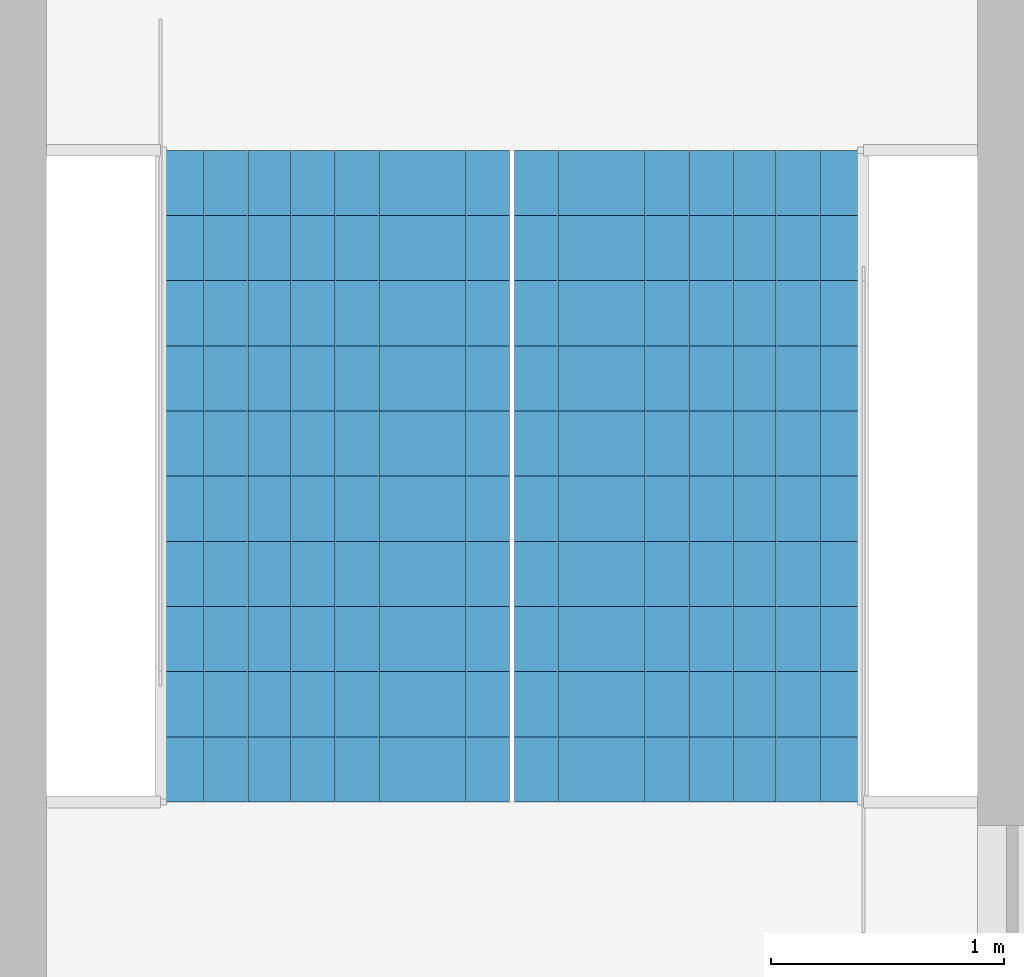
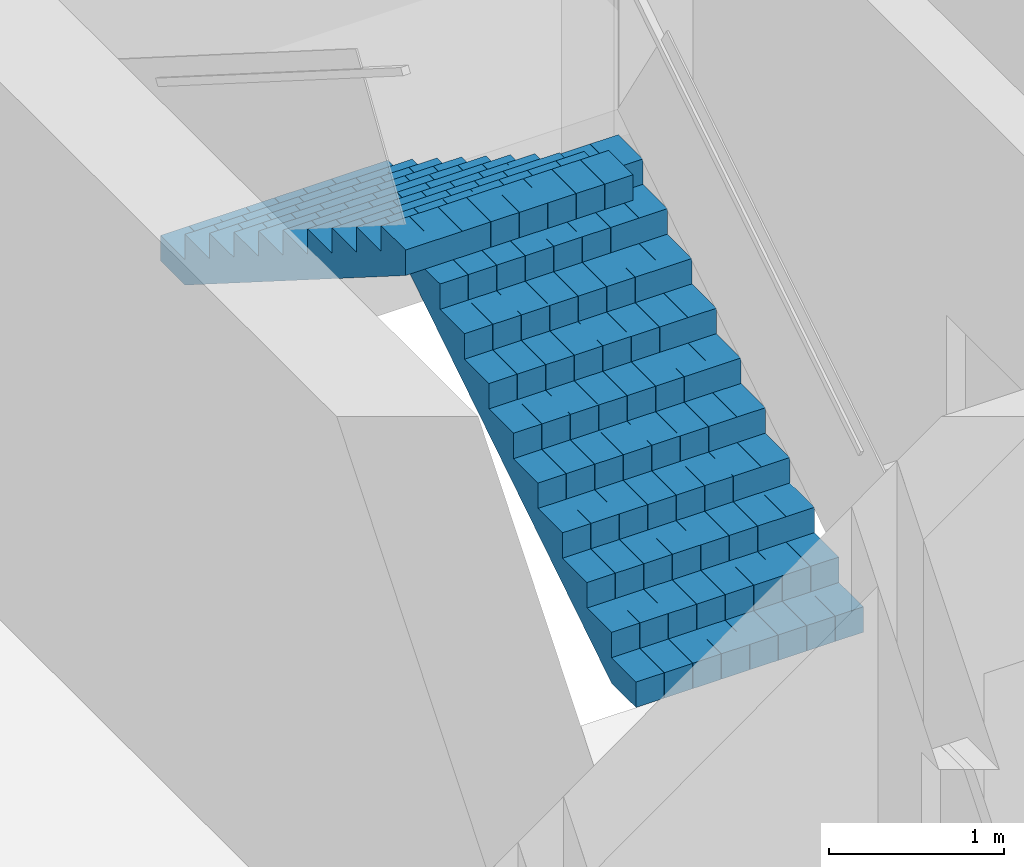
# One storey, part 13 of 15: 2 stair flights, 1 element without a shape of its own.
"""IFC4 building model written with IfcOpenShell, lengths in metres."""

from ifc_helpers import new_model, si_unit, direction, frame, origin, place, context, subcontext, project, spatial, polyline, outline, extrude, material, type_object, element, aggregate, save


model = new_model("IFC4")

# Units and contexts
model_context = context("Model", 3, precision=1e-05, world=origin(), true_north=direction((0.0, 1.0)))
body_context = subcontext(model_context, "Body", "Model", "MODEL_VIEW")
ifc_project = project(units=[si_unit("LENGTHUNIT", "METRE"), si_unit("AREAUNIT", "SQUARE_METRE"), si_unit("VOLUMEUNIT", "CUBIC_METRE"), si_unit("PLANEANGLEUNIT", "RADIAN"), si_unit("MASSUNIT", "GRAM", prefix="KILO")], contexts=[model_context])

# Site, building, storey
site_placement = place(None, origin())
site = spatial("IfcSite", under=ifc_project, at=site_placement, CompositionType="ELEMENT")
building_placement = place(site_placement, origin())
building = spatial("IfcBuilding", under=site, at=building_placement, Name="Kolab Exchange Tower", CompositionType="ELEMENT")
storey_placement = place(building_placement, frame((0.0, 0.0, 205.10009765625)))
storey = spatial("IfcBuildingStorey", under=building, at=storey_placement, Name="L44", CompositionType="ELEMENT", Elevation=205.10009765625)

# Stair, stair flights
ifc_material = material(Name="Concrete C50/60", Category="concrete")
stair_type = type_object("IfcStairType", Name="STAIR ST1 RISER 177.3", PredefinedType="HALF_TURN_STAIR", material=ifc_material)
stair_placement = place(storey_placement, origin())
stair = element("IfcStair", 1, at=stair_placement, inside=storey, type_object=stair_type, Name="Stair 1", PredefinedType="HALF_TURN_STAIR")
stair_flight_type = type_object("IfcStairFlightType", Name="STAIR FLIGHT 1500 RISER 177.3", PredefinedType="STRAIGHT", material=ifc_material)
stair_flight_1_placement = place(storey_placement, frame((-6.489990234375, 5.550048828125, 0.0), z_axis=(0.0, 0.0, 1.0), x_axis=(0.0, 1.0, 0.0)))
stair_flight_1 = element("IfcStairFlight", 2, at=stair_flight_1_placement, type_object=stair_flight_type, Name="ST1 flight 1", NumberOfRisers=11, NumberOfTreads=10, PredefinedType="STRAIGHT", RiserHeight=0.177272727, TreadLength=0.28, context=body_context, shape_type="SweptSolid", body=[
    extrude(outline(polyline([(0.0, 0.0), (0.0, 0.17724609375), (0.280029296875, 0.17724609375), (0.280029296875, 0.3544921875), (0.56005859375, 0.3544921875), (0.56005859375, 0.53173828125), (0.840087890625, 0.53173828125), (0.840087890625, 0.708984375), (1.1201171875, 0.708984375), (1.1201171875, 0.886474609375), (1.39990234375, 0.886474609375), (1.39990234375, 1.063720703125), (1.679931640625, 1.063720703125), (1.679931640625, 1.240966796875), (1.9599609375, 1.240966796875), (1.9599609375, 1.418212890625), (2.239990234375, 1.418212890625), (2.239990234375, 1.595458984375), (2.52001953125, 1.595458984375), (2.52001953125, 1.772705078125), (2.800048828125, 1.772705078125), (2.800048828125, 1.949951171875), (2.800048828125, 1.59521484375), (0.2802734375, 0.0), (0.0, 0.0)])), frame((0.0, 0.75, 0.0), z_axis=(0.0, -1.0, 0.0), x_axis=(1.0, 0.0, 0.0)), (0.0, 0.0, 1.0), 0.185791015625),
    extrude(outline(polyline([(0.0, 0.0), (0.0, 0.17724609375), (0.280029296875, 0.17724609375), (0.280029296875, 0.3544921875), (0.56005859375, 0.3544921875), (0.56005859375, 0.53173828125), (0.840087890625, 0.53173828125), (0.840087890625, 0.708984375), (1.1201171875, 0.708984375), (1.1201171875, 0.886474609375), (1.39990234375, 0.886474609375), (1.39990234375, 1.063720703125), (1.679931640625, 1.063720703125), (1.679931640625, 1.240966796875), (1.9599609375, 1.240966796875), (1.9599609375, 1.418212890625), (2.239990234375, 1.418212890625), (2.239990234375, 1.595458984375), (2.52001953125, 1.595458984375), (2.52001953125, 1.772705078125), (2.800048828125, 1.772705078125), (2.800048828125, 1.949951171875), (2.800048828125, 1.59521484375), (0.2802734375, 0.0), (0.0, 0.0)])), frame((0.0, 0.562255859375, 0.0), z_axis=(0.0, -1.0, 0.0), x_axis=(1.0, 0.0, 0.0)), (0.0, 0.0, 1.0), 0.185791015625),
    extrude(outline(polyline([(0.0, 0.0), (0.0, 0.17724609375), (0.280029296875, 0.17724609375), (0.280029296875, 0.3544921875), (0.56005859375, 0.3544921875), (0.56005859375, 0.53173828125), (0.840087890625, 0.53173828125), (0.840087890625, 0.708984375), (1.1201171875, 0.708984375), (1.1201171875, 0.886474609375), (1.39990234375, 0.886474609375), (1.39990234375, 1.063720703125), (1.679931640625, 1.063720703125), (1.679931640625, 1.240966796875), (1.9599609375, 1.240966796875), (1.9599609375, 1.418212890625), (2.239990234375, 1.418212890625), (2.239990234375, 1.595458984375), (2.52001953125, 1.595458984375), (2.52001953125, 1.772705078125), (2.800048828125, 1.772705078125), (2.800048828125, 1.949951171875), (2.800048828125, 1.59521484375), (0.2802734375, 0.0), (0.0, 0.0)])), frame((0.0, 0.37451171875, 0.0), z_axis=(0.0, -1.0, 0.0), x_axis=(1.0, 0.0, 0.0)), (0.0, 0.0, 1.0), 0.185791015625),
    extrude(outline(polyline([(0.0, 0.0), (0.0, 0.17724609375), (0.280029296875, 0.17724609375), (0.280029296875, 0.3544921875), (0.56005859375, 0.3544921875), (0.56005859375, 0.53173828125), (0.840087890625, 0.53173828125), (0.840087890625, 0.708984375), (1.1201171875, 0.708984375), (1.1201171875, 0.886474609375), (1.39990234375, 0.886474609375), (1.39990234375, 1.063720703125), (1.679931640625, 1.063720703125), (1.679931640625, 1.240966796875), (1.9599609375, 1.240966796875), (1.9599609375, 1.418212890625), (2.239990234375, 1.418212890625), (2.239990234375, 1.595458984375), (2.52001953125, 1.595458984375), (2.52001953125, 1.772705078125), (2.800048828125, 1.772705078125), (2.800048828125, 1.949951171875), (2.800048828125, 1.59521484375), (0.2802734375, 0.0), (0.0, 0.0)])), frame((0.0, 0.186767578125, 0.0), z_axis=(0.0, -1.0, 0.0), x_axis=(1.0, 0.0, 0.0)), (0.0, 0.0, 1.0), 0.185791015625),
    extrude(outline(polyline([(0.0, 0.0), (0.0, 0.17724609375), (0.280029296875, 0.17724609375), (0.280029296875, 0.3544921875), (0.56005859375, 0.3544921875), (0.56005859375, 0.53173828125), (0.840087890625, 0.53173828125), (0.840087890625, 0.708984375), (1.1201171875, 0.708984375), (1.1201171875, 0.886474609375), (1.39990234375, 0.886474609375), (1.39990234375, 1.063720703125), (1.679931640625, 1.063720703125), (1.679931640625, 1.240966796875), (1.9599609375, 1.240966796875), (1.9599609375, 1.418212890625), (2.239990234375, 1.418212890625), (2.239990234375, 1.595458984375), (2.52001953125, 1.595458984375), (2.52001953125, 1.772705078125), (2.800048828125, 1.772705078125), (2.800048828125, 1.949951171875), (2.800048828125, 1.59521484375), (0.2802734375, 0.0), (0.0, 0.0)])), frame((0.0, -0.0009765625, 0.0), z_axis=(0.0, -1.0, 0.0), x_axis=(1.0, 0.0, 0.0)), (0.0, 0.0, 1.0), 0.185791015625),
    extrude(outline(polyline([(0.0, 0.0), (0.0, 0.17724609375), (0.280029296875, 0.17724609375), (0.280029296875, 0.3544921875), (0.56005859375, 0.3544921875), (0.56005859375, 0.53173828125), (0.840087890625, 0.53173828125), (0.840087890625, 0.708984375), (1.1201171875, 0.708984375), (1.1201171875, 0.886474609375), (1.39990234375, 0.886474609375), (1.39990234375, 1.063720703125), (1.679931640625, 1.063720703125), (1.679931640625, 1.240966796875), (1.9599609375, 1.240966796875), (1.9599609375, 1.418212890625), (2.239990234375, 1.418212890625), (2.239990234375, 1.595458984375), (2.52001953125, 1.595458984375), (2.52001953125, 1.772705078125), (2.800048828125, 1.772705078125), (2.800048828125, 1.949951171875), (2.800048828125, 1.59521484375), (0.2802734375, 0.0), (0.0, 0.0)])), frame((0.0, -0.188720703125, 0.0), z_axis=(0.0, -1.0, 0.0), x_axis=(1.0, 0.0, 0.0)), (0.0, 0.0, 1.0), 0.185791015625),
    extrude(outline(polyline([(0.0, 0.0), (0.0, 0.17724609375), (0.280029296875, 0.17724609375), (0.280029296875, 0.3544921875), (0.56005859375, 0.3544921875), (0.56005859375, 0.53173828125), (0.840087890625, 0.53173828125), (0.840087890625, 0.708984375), (1.1201171875, 0.708984375), (1.1201171875, 0.886474609375), (1.39990234375, 0.886474609375), (1.39990234375, 1.063720703125), (1.679931640625, 1.063720703125), (1.679931640625, 1.240966796875), (1.9599609375, 1.240966796875), (1.9599609375, 1.418212890625), (2.239990234375, 1.418212890625), (2.239990234375, 1.595458984375), (2.52001953125, 1.595458984375), (2.52001953125, 1.772705078125), (2.800048828125, 1.772705078125), (2.800048828125, 1.949951171875), (2.800048828125, 1.59521484375), (0.2802734375, 0.0), (0.0, 0.0)])), frame((0.0, -0.37646484375, 0.0), z_axis=(0.0, -1.0, 0.0), x_axis=(1.0, 0.0, 0.0)), (0.0, 0.0, 1.0), 0.185791015625),
    extrude(outline(polyline([(0.0, 0.0), (0.0, 0.17724609375), (0.280029296875, 0.17724609375), (0.280029296875, 0.3544921875), (0.56005859375, 0.3544921875), (0.56005859375, 0.53173828125), (0.840087890625, 0.53173828125), (0.840087890625, 0.708984375), (1.1201171875, 0.708984375), (1.1201171875, 0.886474609375), (1.39990234375, 0.886474609375), (1.39990234375, 1.063720703125), (1.679931640625, 1.063720703125), (1.679931640625, 1.240966796875), (1.9599609375, 1.240966796875), (1.9599609375, 1.418212890625), (2.239990234375, 1.418212890625), (2.239990234375, 1.595458984375), (2.52001953125, 1.595458984375), (2.52001953125, 1.772705078125), (2.800048828125, 1.772705078125), (2.800048828125, 1.949951171875), (2.800048828125, 1.59521484375), (0.2802734375, 0.0), (0.0, 0.0)])), frame((0.0, -0.564208984375, 0.0), z_axis=(0.0, -1.0, 0.0), x_axis=(1.0, 0.0, 0.0)), (0.0, 0.0, 1.0), 0.185791015625),
])
stair_flight_2_placement = place(storey_placement, frame((-8.010009765625, 8.35009765625, 1.949951171875), z_axis=(0.0, 0.0, 1.0), x_axis=(0.0, -1.0, 0.0)))
stair_flight_2 = element("IfcStairFlight", 3, at=stair_flight_2_placement, type_object=stair_flight_type, Name="ST1 flight 2", NumberOfRisers=11, NumberOfTreads=10, PredefinedType="STRAIGHT", RiserHeight=0.177272727, TreadLength=0.28, context=body_context, shape_type="SweptSolid", body=[
    extrude(outline(polyline([(0.0, 0.0), (0.0, 0.17724609375), (0.280029296875, 0.17724609375), (0.280029296875, 0.3544921875), (0.56005859375, 0.3544921875), (0.56005859375, 0.53173828125), (0.840087890625, 0.53173828125), (0.840087890625, 0.708984375), (1.1201171875, 0.708984375), (1.1201171875, 0.886474609375), (1.39990234375, 0.886474609375), (1.39990234375, 1.063720703125), (1.679931640625, 1.063720703125), (1.679931640625, 1.240966796875), (1.9599609375, 1.240966796875), (1.9599609375, 1.418212890625), (2.239990234375, 1.418212890625), (2.239990234375, 1.595458984375), (2.52001953125, 1.595458984375), (2.52001953125, 1.772705078125), (2.800048828125, 1.772705078125), (2.800048828125, 1.949951171875), (2.800048828125, 1.59521484375), (0.2802734375, 0.0), (0.0, 0.0)])), frame((0.0, 0.75, 0.0), z_axis=(0.0, -1.0, 0.0), x_axis=(1.0, 0.0, 0.0)), (0.0, 0.0, 1.0), 0.185791015625),
    extrude(outline(polyline([(0.0, 0.0), (0.0, 0.17724609375), (0.280029296875, 0.17724609375), (0.280029296875, 0.3544921875), (0.56005859375, 0.3544921875), (0.56005859375, 0.53173828125), (0.840087890625, 0.53173828125), (0.840087890625, 0.708984375), (1.1201171875, 0.708984375), (1.1201171875, 0.886474609375), (1.39990234375, 0.886474609375), (1.39990234375, 1.063720703125), (1.679931640625, 1.063720703125), (1.679931640625, 1.240966796875), (1.9599609375, 1.240966796875), (1.9599609375, 1.418212890625), (2.239990234375, 1.418212890625), (2.239990234375, 1.595458984375), (2.52001953125, 1.595458984375), (2.52001953125, 1.772705078125), (2.800048828125, 1.772705078125), (2.800048828125, 1.949951171875), (2.800048828125, 1.59521484375), (0.2802734375, 0.0), (0.0, 0.0)])), frame((0.0, 0.562255859375, 0.0), z_axis=(0.0, -1.0, 0.0), x_axis=(1.0, 0.0, 0.0)), (0.0, 0.0, 1.0), 0.185791015625),
    extrude(outline(polyline([(0.0, 0.0), (0.0, 0.17724609375), (0.280029296875, 0.17724609375), (0.280029296875, 0.3544921875), (0.56005859375, 0.3544921875), (0.56005859375, 0.53173828125), (0.840087890625, 0.53173828125), (0.840087890625, 0.708984375), (1.1201171875, 0.708984375), (1.1201171875, 0.886474609375), (1.39990234375, 0.886474609375), (1.39990234375, 1.063720703125), (1.679931640625, 1.063720703125), (1.679931640625, 1.240966796875), (1.9599609375, 1.240966796875), (1.9599609375, 1.418212890625), (2.239990234375, 1.418212890625), (2.239990234375, 1.595458984375), (2.52001953125, 1.595458984375), (2.52001953125, 1.772705078125), (2.800048828125, 1.772705078125), (2.800048828125, 1.949951171875), (2.800048828125, 1.59521484375), (0.2802734375, 0.0), (0.0, 0.0)])), frame((0.0, 0.37451171875, 0.0), z_axis=(0.0, -1.0, 0.0), x_axis=(1.0, 0.0, 0.0)), (0.0, 0.0, 1.0), 0.185791015625),
    extrude(outline(polyline([(0.0, 0.0), (0.0, 0.17724609375), (0.280029296875, 0.17724609375), (0.280029296875, 0.3544921875), (0.56005859375, 0.3544921875), (0.56005859375, 0.53173828125), (0.840087890625, 0.53173828125), (0.840087890625, 0.708984375), (1.1201171875, 0.708984375), (1.1201171875, 0.886474609375), (1.39990234375, 0.886474609375), (1.39990234375, 1.063720703125), (1.679931640625, 1.063720703125), (1.679931640625, 1.240966796875), (1.9599609375, 1.240966796875), (1.9599609375, 1.418212890625), (2.239990234375, 1.418212890625), (2.239990234375, 1.595458984375), (2.52001953125, 1.595458984375), (2.52001953125, 1.772705078125), (2.800048828125, 1.772705078125), (2.800048828125, 1.949951171875), (2.800048828125, 1.59521484375), (0.2802734375, 0.0), (0.0, 0.0)])), frame((0.0, 0.186767578125, 0.0), z_axis=(0.0, -1.0, 0.0), x_axis=(1.0, 0.0, 0.0)), (0.0, 0.0, 1.0), 0.185791015625),
    extrude(outline(polyline([(0.0, 0.0), (0.0, 0.17724609375), (0.280029296875, 0.17724609375), (0.280029296875, 0.3544921875), (0.56005859375, 0.3544921875), (0.56005859375, 0.53173828125), (0.840087890625, 0.53173828125), (0.840087890625, 0.708984375), (1.1201171875, 0.708984375), (1.1201171875, 0.886474609375), (1.39990234375, 0.886474609375), (1.39990234375, 1.063720703125), (1.679931640625, 1.063720703125), (1.679931640625, 1.240966796875), (1.9599609375, 1.240966796875), (1.9599609375, 1.418212890625), (2.239990234375, 1.418212890625), (2.239990234375, 1.595458984375), (2.52001953125, 1.595458984375), (2.52001953125, 1.772705078125), (2.800048828125, 1.772705078125), (2.800048828125, 1.949951171875), (2.800048828125, 1.59521484375), (0.2802734375, 0.0), (0.0, 0.0)])), frame((0.0, -0.0009765625, 0.0), z_axis=(0.0, -1.0, 0.0), x_axis=(1.0, 0.0, 0.0)), (0.0, 0.0, 1.0), 0.185791015625),
    extrude(outline(polyline([(0.0, 0.0), (0.0, 0.17724609375), (0.280029296875, 0.17724609375), (0.280029296875, 0.3544921875), (0.56005859375, 0.3544921875), (0.56005859375, 0.53173828125), (0.840087890625, 0.53173828125), (0.840087890625, 0.708984375), (1.1201171875, 0.708984375), (1.1201171875, 0.886474609375), (1.39990234375, 0.886474609375), (1.39990234375, 1.063720703125), (1.679931640625, 1.063720703125), (1.679931640625, 1.240966796875), (1.9599609375, 1.240966796875), (1.9599609375, 1.418212890625), (2.239990234375, 1.418212890625), (2.239990234375, 1.595458984375), (2.52001953125, 1.595458984375), (2.52001953125, 1.772705078125), (2.800048828125, 1.772705078125), (2.800048828125, 1.949951171875), (2.800048828125, 1.59521484375), (0.2802734375, 0.0), (0.0, 0.0)])), frame((0.0, -0.188720703125, 0.0), z_axis=(0.0, -1.0, 0.0), x_axis=(1.0, 0.0, 0.0)), (0.0, 0.0, 1.0), 0.185791015625),
    extrude(outline(polyline([(0.0, 0.0), (0.0, 0.17724609375), (0.280029296875, 0.17724609375), (0.280029296875, 0.3544921875), (0.56005859375, 0.3544921875), (0.56005859375, 0.53173828125), (0.840087890625, 0.53173828125), (0.840087890625, 0.708984375), (1.1201171875, 0.708984375), (1.1201171875, 0.886474609375), (1.39990234375, 0.886474609375), (1.39990234375, 1.063720703125), (1.679931640625, 1.063720703125), (1.679931640625, 1.240966796875), (1.9599609375, 1.240966796875), (1.9599609375, 1.418212890625), (2.239990234375, 1.418212890625), (2.239990234375, 1.595458984375), (2.52001953125, 1.595458984375), (2.52001953125, 1.772705078125), (2.800048828125, 1.772705078125), (2.800048828125, 1.949951171875), (2.800048828125, 1.59521484375), (0.2802734375, 0.0), (0.0, 0.0)])), frame((0.0, -0.37646484375, 0.0), z_axis=(0.0, -1.0, 0.0), x_axis=(1.0, 0.0, 0.0)), (0.0, 0.0, 1.0), 0.185791015625),
    extrude(outline(polyline([(0.0, 0.0), (0.0, 0.17724609375), (0.280029296875, 0.17724609375), (0.280029296875, 0.3544921875), (0.56005859375, 0.3544921875), (0.56005859375, 0.53173828125), (0.840087890625, 0.53173828125), (0.840087890625, 0.708984375), (1.1201171875, 0.708984375), (1.1201171875, 0.886474609375), (1.39990234375, 0.886474609375), (1.39990234375, 1.063720703125), (1.679931640625, 1.063720703125), (1.679931640625, 1.240966796875), (1.9599609375, 1.240966796875), (1.9599609375, 1.418212890625), (2.239990234375, 1.418212890625), (2.239990234375, 1.595458984375), (2.52001953125, 1.595458984375), (2.52001953125, 1.772705078125), (2.800048828125, 1.772705078125), (2.800048828125, 1.949951171875), (2.800048828125, 1.59521484375), (0.2802734375, 0.0), (0.0, 0.0)])), frame((0.0, -0.564208984375, 0.0), z_axis=(0.0, -1.0, 0.0), x_axis=(1.0, 0.0, 0.0)), (0.0, 0.0, 1.0), 0.185791015625),
])
aggregate(stair, [stair_flight_1, stair_flight_2])

save(model, "model.ifc")
